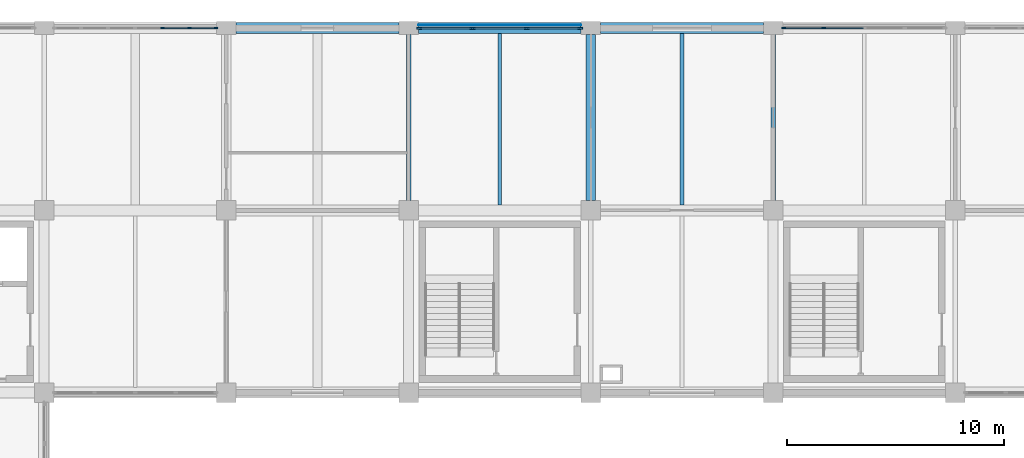
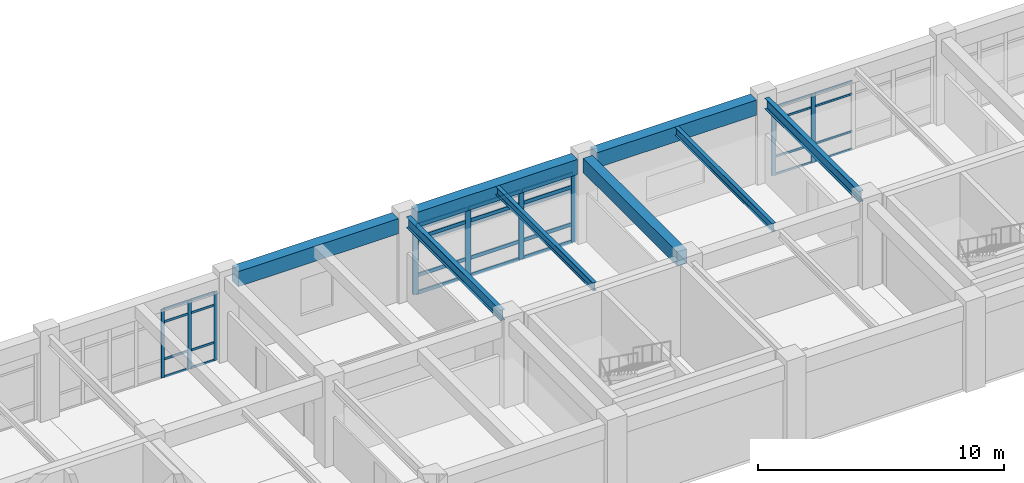
# One storey, part 39 of 99: 39 members, 8 beams, 3 elements without a shape of their own.
"""IFC4 building model written with IfcOpenShell, lengths in metres."""

from ifc_helpers import new_model, si_unit, direction, frame, origin, origin_2d, place, context, subcontext, project, spatial, rectangle, i_section, extrude, material, layer, layer_set, material_profile, profile_set, type_object, element, aggregate, save


model = new_model("IFC4")

# Units and contexts
model_context = context("Model", 3, precision=1e-05, world=origin(), true_north=direction((0.0, 1.0)))
body_context = subcontext(model_context, "Body", "Model", "MODEL_VIEW")
ifc_project = project(units=[si_unit("LENGTHUNIT", "METRE"), si_unit("AREAUNIT", "SQUARE_METRE"), si_unit("VOLUMEUNIT", "CUBIC_METRE"), si_unit("PLANEANGLEUNIT", "RADIAN"), si_unit("MASSUNIT", "GRAM", prefix="KILO")], contexts=[model_context])

# Site, building, storey
site_placement = place(None, origin())
site = spatial("IfcSite", under=ifc_project, at=site_placement, CompositionType="ELEMENT")
building_placement = place(site_placement, origin())
building = spatial("IfcBuilding", under=site, at=building_placement, Name="Porcellanite Civic Hall", CompositionType="ELEMENT")
storey_placement = place(building_placement, frame((0.0, 0.0, 5.760009765625)))
storey = spatial("IfcBuildingStorey", under=building, at=storey_placement, Name="L01", CompositionType="ELEMENT", Elevation=5.760009765625)

# Beams
ifc_material_1 = material(Name="Concrete N50 (50 MPa)", Category="concrete")
ifc_material_profile_1 = material_profile(ifc_material_1, rectangle(XDim=0.449951171875, YDim=0.699951171875, at=origin_2d()), Name="RC-450x700")
ifc_profile_set_1 = profile_set([ifc_material_profile_1], Name="Concrete N50 (50 MPa)")
beam_type_1 = type_object("IfcBeamType", Name="BM-RC700", PredefinedType="BEAM", material=ifc_profile_set_1)
beam_1_placement = place(storey_placement, frame((84.0, 109.6494140625, 3.85009765625), z_axis=(0.0, 1.0, 0.0), x_axis=(-1.0, 0.0, 0.0)))
element("IfcBeam", 1, at=beam_1_placement, inside=storey, type_object=beam_type_1, Name="Beam Y L01 11-14", PredefinedType="BEAM", context=body_context, shape_type="SweptSolid", body=[
    extrude(rectangle(XDim=0.449951171875, YDim=0.699951171875, at=origin_2d()), origin(), (0.0, 0.0, 1.0), 7.651123046875),
])
ifc_material_2 = material(Name="Concrete N50 (50 MPa)", Category="concrete")
ifc_material_profile_2 = material_profile(ifc_material_2, rectangle(XDim=0.5, YDim=0.75, at=origin_2d()), Name="RC-500x750")
ifc_profile_set_2 = profile_set([ifc_material_profile_2], Name="Concrete N50 (50 MPa)")
beam_type_2 = type_object("IfcBeamType", Name="BM-RC750", PredefinedType="SPANDREL", material=ifc_profile_set_2)
for number, where, z_axis, x_axis, name in (
    (2, (67.6494140625, 117.60009765625, 3.824951171875), (1.0, 0.0, 0.0), (0.0, 1.0, 0.0), "Beam X L01 9-15"),
    (3, (76.049560546875, 117.60009765625, 3.824951171875), (1.0, 0.0, 0.0), (0.0, 1.0, 0.0), "Beam X L01 10-15"),
    (4, (84.449462890625, 117.60009765625, 3.824951171875), (1.0, 0.0, 0.0), (0.0, 1.0, 0.0), "Beam X L01 11-15"),
):
    element("IfcBeam", number, at=place(storey_placement, frame(where, z_axis=z_axis, x_axis=x_axis)), inside=storey, type_object=beam_type_2, Name=name, PredefinedType="SPANDREL", context=body_context, shape_type="SweptSolid", body=[
        extrude(rectangle(XDim=0.5, YDim=0.75, at=origin_2d()), origin(), (0.0, 0.0, 1.0), 7.5009765625),
    ])

# Curtain wall, members
ifc_material_3 = material(Name="Anodised aluminium and solar laminated glass", Category="aluminium")
ifc_layer_1 = layer(ifc_material_3, 0.179931640625)
ifc_layer_set_1 = layer_set([ifc_layer_1], Name="Anodised aluminium and solar laminated glass")
curtain_wall_type_1 = type_object("IfcCurtainWallType", Name="CW-SYS08", PredefinedType="NOTDEFINED", material=ifc_layer_set_1)
curtain_wall_1_placement = place(storey_placement, origin())
curtain_wall_1 = element("IfcCurtainWall", 5, at=curtain_wall_1_placement, inside=storey, type_object=curtain_wall_type_1, Name="Curtain wall CW-094", PredefinedType="NOTDEFINED")
ifc_material_4 = material(Name="Anodised aluminium 6063-T6", Category="aluminium")
ifc_material_profile_3 = material_profile(ifc_material_4, rectangle(XDim=0.080078125, YDim=0.239990234375, at=origin_2d()), Name="AL-80x240")
ifc_profile_set_3 = profile_set([ifc_material_profile_3], Name="Anodised aluminium 6063-T6")
member_type_1 = type_object("IfcMemberType", Name="CWM-01", PredefinedType="MULLION", material=ifc_profile_set_3)
member_1_placement = place(storey_placement, frame((76.091064453125, 117.60009765625, 0.0), z_axis=(0.0, 0.0, 1.0), x_axis=(0.0, 1.0, 0.0)))
member_1 = element("IfcMember", 6, at=member_1_placement, type_object=member_type_1, Name="CW-094 mullion 1", PredefinedType="MULLION", context=body_context, shape_type="SweptSolid", body=[
    extrude(rectangle(XDim=0.080078125, YDim=0.239990234375, at=origin_2d()), origin(), (0.0, 0.0, 1.0), 3.39990234375),
])
member_2_placement = place(storey_placement, frame((78.55029296875, 117.60009765625, 0.0), z_axis=(0.0, 0.0, 1.0), x_axis=(0.0, 1.0, 0.0)))
member_2 = element("IfcMember", 7, at=member_2_placement, type_object=member_type_1, Name="CW-094 mullion 2", PredefinedType="MULLION", context=body_context, shape_type="SweptSolid", body=[
    extrude(rectangle(XDim=0.080078125, YDim=0.239990234375, at=origin_2d()), origin(), (0.0, 0.0, 1.0), 3.39990234375),
])
member_3_placement = place(storey_placement, frame((81.049560546875, 117.60009765625, 0.0), z_axis=(0.0, 0.0, 1.0), x_axis=(0.0, 1.0, 0.0)))
member_3 = element("IfcMember", 8, at=member_3_placement, type_object=member_type_1, Name="CW-094 mullion 3", PredefinedType="MULLION", context=body_context, shape_type="SweptSolid", body=[
    extrude(rectangle(XDim=0.080078125, YDim=0.239990234375, at=origin_2d()), origin(), (0.0, 0.0, 1.0), 3.39990234375),
])
member_4_placement = place(storey_placement, frame((83.509033203125, 117.60009765625, 0.0), z_axis=(0.0, 0.0, 1.0), x_axis=(0.0, 1.0, 0.0)))
member_4 = element("IfcMember", 9, at=member_4_placement, type_object=member_type_1, Name="CW-094 mullion 4", PredefinedType="MULLION", context=body_context, shape_type="SweptSolid", body=[
    extrude(rectangle(XDim=0.080078125, YDim=0.239990234375, at=origin_2d()), origin(), (0.0, 0.0, 1.0), 3.39990234375),
])

ifc_material_5 = material(Name="Anodised aluminium and solar laminated glass", Category="aluminium")
ifc_layer_2 = layer(ifc_material_5, 0.179931640625)
ifc_layer_set_2 = layer_set([ifc_layer_2], Name="Anodised aluminium and solar laminated glass")
curtain_wall_type_2 = type_object("IfcCurtainWallType", Name="CW-SYS04", PredefinedType="NOTDEFINED", material=ifc_layer_set_2)
curtain_wall_2_placement = place(storey_placement, origin())
curtain_wall_2 = element("IfcCurtainWall", 10, at=curtain_wall_2_placement, inside=storey, type_object=curtain_wall_type_2, Name="Curtain wall CW-097", PredefinedType="NOTDEFINED")
ifc_material_6 = material(Name="Anodised aluminium 6063-T6", Category="aluminium")
ifc_material_profile_4 = material_profile(ifc_material_6, rectangle(XDim=0.074951171875, YDim=0.18994140625, at=origin_2d()), Name="AL-75x190")
ifc_profile_set_4 = profile_set([ifc_material_profile_4], Name="Anodised aluminium 6063-T6")
member_type_2 = type_object("IfcMemberType", Name="CWM-04", PredefinedType="MULLION", material=ifc_profile_set_4)
member_5_placement = place(storey_placement, frame((92.888427734375, 117.60009765625, 0.0), z_axis=(0.0, 0.0, 1.0), x_axis=(0.0, 1.0, 0.0)))
member_5 = element("IfcMember", 11, at=member_5_placement, type_object=member_type_2, Name="CW-097 mullion 1", PredefinedType="MULLION", context=body_context, shape_type="SweptSolid", body=[
    extrude(rectangle(XDim=0.074951171875, YDim=0.18994140625, at=origin_2d()), origin(), (0.0, 0.0, 1.0), 3.39990234375),
])
member_6_placement = place(storey_placement, frame((94.7255859375, 117.60009765625, 0.0), z_axis=(0.0, 0.0, 1.0), x_axis=(0.0, 1.0, 0.0)))
member_6 = element("IfcMember", 12, at=member_6_placement, type_object=member_type_2, Name="CW-097 mullion 2", PredefinedType="MULLION", context=body_context, shape_type="SweptSolid", body=[
    extrude(rectangle(XDim=0.074951171875, YDim=0.18994140625, at=origin_2d()), origin(), (0.0, 0.0, 1.0), 3.39990234375),
])

ifc_material_7 = material(Name="Anodised aluminium and solar laminated glass", Category="aluminium")
ifc_layer_3 = layer(ifc_material_7, 0.179931640625)
ifc_layer_set_3 = layer_set([ifc_layer_3], Name="Anodised aluminium and solar laminated glass")
curtain_wall_type_3 = type_object("IfcCurtainWallType", Name="CW-SYS07", PredefinedType="NOTDEFINED", material=ifc_layer_set_3)
curtain_wall_3_placement = place(storey_placement, origin())
curtain_wall_3 = element("IfcCurtainWall", 13, at=curtain_wall_3_placement, inside=storey, type_object=curtain_wall_type_3, Name="Curtain wall CW-087", PredefinedType="NOTDEFINED")
ifc_material_8 = material(Name="Anodised aluminium 6063-T6", Category="aluminium")
ifc_material_profile_5 = material_profile(ifc_material_8, rectangle(XDim=0.06005859375, YDim=0.159912109375, at=origin_2d()), Name="AL-60x160")
ifc_profile_set_5 = profile_set([ifc_material_profile_5], Name="Anodised aluminium 6063-T6")
member_type_3 = type_object("IfcMemberType", Name="CWM-07", PredefinedType="MULLION", material=ifc_profile_set_5)
member_7_placement = place(storey_placement, frame((64.249755859375, 117.60009765625, 0.0), z_axis=(0.0, 0.0, 1.0), x_axis=(0.0, 1.0, 0.0)))
member_7 = element("IfcMember", 14, at=member_7_placement, type_object=member_type_3, Name="CW-087 mullion 5", PredefinedType="MULLION", context=body_context, shape_type="SweptSolid", body=[
    extrude(rectangle(XDim=0.06005859375, YDim=0.159912109375, at=origin_2d()), origin(), (0.0, 0.0, 1.0), 3.39990234375),
])
member_8_placement = place(storey_placement, frame((65.499267578125, 117.60009765625, 0.0), z_axis=(0.0, 0.0, 1.0), x_axis=(0.0, 1.0, 0.0)))
member_8 = element("IfcMember", 15, at=member_8_placement, type_object=member_type_3, Name="CW-087 mullion 6", PredefinedType="MULLION", context=body_context, shape_type="SweptSolid", body=[
    extrude(rectangle(XDim=0.06005859375, YDim=0.159912109375, at=origin_2d()), origin(), (0.0, 0.0, 1.0), 3.39990234375),
])
member_9_placement = place(storey_placement, frame((66.718994140625, 117.60009765625, 0.0), z_axis=(0.0, 0.0, 1.0), x_axis=(0.0, 1.0, 0.0)))
member_9 = element("IfcMember", 16, at=member_9_placement, type_object=member_type_3, Name="CW-087 mullion 7", PredefinedType="MULLION", context=body_context, shape_type="SweptSolid", body=[
    extrude(rectangle(XDim=0.06005859375, YDim=0.159912109375, at=origin_2d()), origin(), (0.0, 0.0, 1.0), 3.39990234375),
])

# Member
ifc_material_9 = material(Name="Anodised aluminium 6063-T6", Category="aluminium")
ifc_material_profile_6 = material_profile(ifc_material_9, rectangle(XDim=0.070068359375, YDim=0.175048828125, at=origin_2d()), Name="AL-70x175")
ifc_profile_set_6 = profile_set([ifc_material_profile_6], Name="Anodised aluminium 6063-T6")
member_type_4 = type_object("IfcMemberType", Name="CWT-01", PredefinedType="USERDEFINED", material=ifc_profile_set_6)
member_10_placement = place(storey_placement, frame((76.131103515625, 117.60009765625, 0.034912109375), z_axis=(1.0, 0.0, 0.0), x_axis=(0.0, 1.0, 0.0)))
member_10 = element("IfcMember", 17, at=member_10_placement, type_object=member_type_4, Name="CW-094 transom 1.1", ObjectType="TRANSOM", PredefinedType="USERDEFINED", context=body_context, shape_type="SweptSolid", body=[
    extrude(rectangle(XDim=0.070068359375, YDim=0.175048828125, at=origin_2d()), origin(), (0.0, 0.0, 1.0), 2.379150390625),
])

member_11_placement = place(storey_placement, frame((76.131103515625, 117.60009765625, 0.89990234375), z_axis=(1.0, 0.0, 0.0), x_axis=(0.0, 1.0, 0.0)))
member_11 = element("IfcMember", 18, at=member_11_placement, type_object=member_type_4, Name="CW-094 transom 1.2", ObjectType="TRANSOM", PredefinedType="USERDEFINED", context=body_context, shape_type="SweptSolid", body=[
    extrude(rectangle(XDim=0.070068359375, YDim=0.175048828125, at=origin_2d()), origin(), (0.0, 0.0, 1.0), 2.379150390625),
])

member_12_placement = place(storey_placement, frame((76.131103515625, 117.60009765625, 2.75), z_axis=(1.0, 0.0, 0.0), x_axis=(0.0, 1.0, 0.0)))
member_12 = element("IfcMember", 19, at=member_12_placement, type_object=member_type_4, Name="CW-094 transom 1.3", ObjectType="TRANSOM", PredefinedType="USERDEFINED", context=body_context, shape_type="SweptSolid", body=[
    extrude(rectangle(XDim=0.070068359375, YDim=0.175048828125, at=origin_2d()), origin(), (0.0, 0.0, 1.0), 2.379150390625),
])

member_13_placement = place(storey_placement, frame((76.131103515625, 117.60009765625, 3.364990234375), z_axis=(1.0, 0.0, 0.0), x_axis=(0.0, 1.0, 0.0)))
member_13 = element("IfcMember", 20, at=member_13_placement, type_object=member_type_4, Name="CW-094 transom 1.4", ObjectType="TRANSOM", PredefinedType="USERDEFINED", context=body_context, shape_type="SweptSolid", body=[
    extrude(rectangle(XDim=0.070068359375, YDim=0.175048828125, at=origin_2d()), origin(), (0.0, 0.0, 1.0), 2.379150390625),
])

member_14_placement = place(storey_placement, frame((78.59033203125, 117.60009765625, 0.034912109375), z_axis=(1.0, 0.0, 0.0), x_axis=(0.0, 1.0, 0.0)))
member_14 = element("IfcMember", 21, at=member_14_placement, type_object=member_type_4, Name="CW-094 transom 2.1", ObjectType="TRANSOM", PredefinedType="USERDEFINED", context=body_context, shape_type="SweptSolid", body=[
    extrude(rectangle(XDim=0.070068359375, YDim=0.175048828125, at=origin_2d()), origin(), (0.0, 0.0, 1.0), 2.41943359375),
])

member_15_placement = place(storey_placement, frame((78.59033203125, 117.60009765625, 0.89990234375), z_axis=(1.0, 0.0, 0.0), x_axis=(0.0, 1.0, 0.0)))
member_15 = element("IfcMember", 22, at=member_15_placement, type_object=member_type_4, Name="CW-094 transom 2.2", ObjectType="TRANSOM", PredefinedType="USERDEFINED", context=body_context, shape_type="SweptSolid", body=[
    extrude(rectangle(XDim=0.070068359375, YDim=0.175048828125, at=origin_2d()), origin(), (0.0, 0.0, 1.0), 2.41943359375),
])

member_16_placement = place(storey_placement, frame((78.59033203125, 117.60009765625, 2.75), z_axis=(1.0, 0.0, 0.0), x_axis=(0.0, 1.0, 0.0)))
member_16 = element("IfcMember", 23, at=member_16_placement, type_object=member_type_4, Name="CW-094 transom 2.3", ObjectType="TRANSOM", PredefinedType="USERDEFINED", context=body_context, shape_type="SweptSolid", body=[
    extrude(rectangle(XDim=0.070068359375, YDim=0.175048828125, at=origin_2d()), origin(), (0.0, 0.0, 1.0), 2.41943359375),
])

member_17_placement = place(storey_placement, frame((78.59033203125, 117.60009765625, 3.364990234375), z_axis=(1.0, 0.0, 0.0), x_axis=(0.0, 1.0, 0.0)))
member_17 = element("IfcMember", 24, at=member_17_placement, type_object=member_type_4, Name="CW-094 transom 2.4", ObjectType="TRANSOM", PredefinedType="USERDEFINED", context=body_context, shape_type="SweptSolid", body=[
    extrude(rectangle(XDim=0.070068359375, YDim=0.175048828125, at=origin_2d()), origin(), (0.0, 0.0, 1.0), 2.41943359375),
])

member_18_placement = place(storey_placement, frame((81.089599609375, 117.60009765625, 0.034912109375), z_axis=(1.0, 0.0, 0.0), x_axis=(0.0, 1.0, 0.0)))
member_18 = element("IfcMember", 25, at=member_18_placement, type_object=member_type_4, Name="CW-094 transom 3.1", ObjectType="TRANSOM", PredefinedType="USERDEFINED", context=body_context, shape_type="SweptSolid", body=[
    extrude(rectangle(XDim=0.070068359375, YDim=0.175048828125, at=origin_2d()), origin(), (0.0, 0.0, 1.0), 2.37939453125),
])

member_19_placement = place(storey_placement, frame((81.089599609375, 117.60009765625, 0.89990234375), z_axis=(1.0, 0.0, 0.0), x_axis=(0.0, 1.0, 0.0)))
member_19 = element("IfcMember", 26, at=member_19_placement, type_object=member_type_4, Name="CW-094 transom 3.2", ObjectType="TRANSOM", PredefinedType="USERDEFINED", context=body_context, shape_type="SweptSolid", body=[
    extrude(rectangle(XDim=0.070068359375, YDim=0.175048828125, at=origin_2d()), origin(), (0.0, 0.0, 1.0), 2.37939453125),
])

member_20_placement = place(storey_placement, frame((81.089599609375, 117.60009765625, 2.75), z_axis=(1.0, 0.0, 0.0), x_axis=(0.0, 1.0, 0.0)))
member_20 = element("IfcMember", 27, at=member_20_placement, type_object=member_type_4, Name="CW-094 transom 3.3", ObjectType="TRANSOM", PredefinedType="USERDEFINED", context=body_context, shape_type="SweptSolid", body=[
    extrude(rectangle(XDim=0.070068359375, YDim=0.175048828125, at=origin_2d()), origin(), (0.0, 0.0, 1.0), 2.37939453125),
])

member_21_placement = place(storey_placement, frame((81.089599609375, 117.60009765625, 3.364990234375), z_axis=(1.0, 0.0, 0.0), x_axis=(0.0, 1.0, 0.0)))
member_21 = element("IfcMember", 28, at=member_21_placement, type_object=member_type_4, Name="CW-094 transom 3.4", ObjectType="TRANSOM", PredefinedType="USERDEFINED", context=body_context, shape_type="SweptSolid", body=[
    extrude(rectangle(XDim=0.070068359375, YDim=0.175048828125, at=origin_2d()), origin(), (0.0, 0.0, 1.0), 2.37939453125),
])

aggregate(curtain_wall_1, [member_1, member_2, member_3, member_4, member_10, member_11, member_12, member_13, member_14, member_15, member_16, member_17, member_18, member_19, member_20, member_21])

ifc_material_10 = material(Name="Anodised aluminium 6063-T6", Category="aluminium")
ifc_material_profile_7 = material_profile(ifc_material_10, rectangle(XDim=0.054931640625, YDim=0.10009765625, at=origin_2d()), Name="AL-55x100")
ifc_profile_set_7 = profile_set([ifc_material_profile_7], Name="Anodised aluminium 6063-T6")
member_type_5 = type_object("IfcMemberType", Name="CWT-05", PredefinedType="USERDEFINED", material=ifc_profile_set_7)
member_22_placement = place(storey_placement, frame((92.926025390625, 117.60009765625, 0.027587890625), z_axis=(1.0, 0.0, 0.0), x_axis=(0.0, 1.0, 0.0)))
member_22 = element("IfcMember", 29, at=member_22_placement, type_object=member_type_5, Name="CW-097 transom 1.1", ObjectType="TRANSOM", PredefinedType="USERDEFINED", context=body_context, shape_type="SweptSolid", body=[
    extrude(rectangle(XDim=0.054931640625, YDim=0.10009765625, at=origin_2d()), origin(), (0.0, 0.0, 1.0), 1.761962890625),
])

member_23_placement = place(storey_placement, frame((92.926025390625, 117.60009765625, 0.89990234375), z_axis=(1.0, 0.0, 0.0), x_axis=(0.0, 1.0, 0.0)))
member_23 = element("IfcMember", 30, at=member_23_placement, type_object=member_type_5, Name="CW-097 transom 1.2", ObjectType="TRANSOM", PredefinedType="USERDEFINED", context=body_context, shape_type="SweptSolid", body=[
    extrude(rectangle(XDim=0.054931640625, YDim=0.10009765625, at=origin_2d()), origin(), (0.0, 0.0, 1.0), 1.761962890625),
])

member_24_placement = place(storey_placement, frame((92.926025390625, 117.60009765625, 2.75), z_axis=(1.0, 0.0, 0.0), x_axis=(0.0, 1.0, 0.0)))
member_24 = element("IfcMember", 31, at=member_24_placement, type_object=member_type_5, Name="CW-097 transom 1.3", ObjectType="TRANSOM", PredefinedType="USERDEFINED", context=body_context, shape_type="SweptSolid", body=[
    extrude(rectangle(XDim=0.054931640625, YDim=0.10009765625, at=origin_2d()), origin(), (0.0, 0.0, 1.0), 1.761962890625),
])

member_25_placement = place(storey_placement, frame((92.926025390625, 117.60009765625, 3.37255859375), z_axis=(1.0, 0.0, 0.0), x_axis=(0.0, 1.0, 0.0)))
member_25 = element("IfcMember", 32, at=member_25_placement, type_object=member_type_5, Name="CW-097 transom 1.4", ObjectType="TRANSOM", PredefinedType="USERDEFINED", context=body_context, shape_type="SweptSolid", body=[
    extrude(rectangle(XDim=0.054931640625, YDim=0.10009765625, at=origin_2d()), origin(), (0.0, 0.0, 1.0), 1.761962890625),
])

member_26_placement = place(storey_placement, frame((94.762939453125, 117.60009765625, 0.027587890625), z_axis=(1.0, 0.0, 0.0), x_axis=(0.0, 1.0, 0.0)))
member_26 = element("IfcMember", 33, at=member_26_placement, type_object=member_type_5, Name="CW-097 transom 2.1", ObjectType="TRANSOM", PredefinedType="USERDEFINED", context=body_context, shape_type="SweptSolid", body=[
    extrude(rectangle(XDim=0.054931640625, YDim=0.10009765625, at=origin_2d()), origin(), (0.0, 0.0, 1.0), 1.799560546875),
])

member_27_placement = place(storey_placement, frame((94.762939453125, 117.60009765625, 0.89990234375), z_axis=(1.0, 0.0, 0.0), x_axis=(0.0, 1.0, 0.0)))
member_27 = element("IfcMember", 34, at=member_27_placement, type_object=member_type_5, Name="CW-097 transom 2.2", ObjectType="TRANSOM", PredefinedType="USERDEFINED", context=body_context, shape_type="SweptSolid", body=[
    extrude(rectangle(XDim=0.054931640625, YDim=0.10009765625, at=origin_2d()), origin(), (0.0, 0.0, 1.0), 1.799560546875),
])

member_28_placement = place(storey_placement, frame((94.762939453125, 117.60009765625, 2.75), z_axis=(1.0, 0.0, 0.0), x_axis=(0.0, 1.0, 0.0)))
member_28 = element("IfcMember", 35, at=member_28_placement, type_object=member_type_5, Name="CW-097 transom 2.3", ObjectType="TRANSOM", PredefinedType="USERDEFINED", context=body_context, shape_type="SweptSolid", body=[
    extrude(rectangle(XDim=0.054931640625, YDim=0.10009765625, at=origin_2d()), origin(), (0.0, 0.0, 1.0), 1.799560546875),
])

member_29_placement = place(storey_placement, frame((94.762939453125, 117.60009765625, 3.37255859375), z_axis=(1.0, 0.0, 0.0), x_axis=(0.0, 1.0, 0.0)))
member_29 = element("IfcMember", 36, at=member_29_placement, type_object=member_type_5, Name="CW-097 transom 2.4", ObjectType="TRANSOM", PredefinedType="USERDEFINED", context=body_context, shape_type="SweptSolid", body=[
    extrude(rectangle(XDim=0.054931640625, YDim=0.10009765625, at=origin_2d()), origin(), (0.0, 0.0, 1.0), 1.799560546875),
])

aggregate(curtain_wall_2, [member_5, member_6, member_22, member_23, member_24, member_25, member_26, member_27, member_28, member_29])

ifc_material_11 = material(Name="Anodised aluminium 6063-T6", Category="aluminium")
ifc_material_profile_8 = material_profile(ifc_material_11, rectangle(XDim=0.050048828125, YDim=0.110107421875, at=origin_2d()), Name="AL-50x110")
ifc_profile_set_8 = profile_set([ifc_material_profile_8], Name="Anodised aluminium 6063-T6")
member_type_6 = type_object("IfcMemberType", Name="CWT-07", PredefinedType="USERDEFINED", material=ifc_profile_set_8)
member_30_placement = place(storey_placement, frame((64.27978515625, 117.60009765625, 0.02490234375), z_axis=(1.0, 0.0, 0.0), x_axis=(0.0, 1.0, 0.0)))
member_30 = element("IfcMember", 37, at=member_30_placement, type_object=member_type_6, Name="CW-087 transom 5.1", ObjectType="TRANSOM", PredefinedType="USERDEFINED", context=body_context, shape_type="SweptSolid", body=[
    extrude(rectangle(XDim=0.050048828125, YDim=0.110107421875, at=origin_2d()), origin(), (0.0, 0.0, 1.0), 1.189453125),
])

member_31_placement = place(storey_placement, frame((64.27978515625, 117.60009765625, 0.89990234375), z_axis=(1.0, 0.0, 0.0), x_axis=(0.0, 1.0, 0.0)))
member_31 = element("IfcMember", 38, at=member_31_placement, type_object=member_type_6, Name="CW-087 transom 5.2", ObjectType="TRANSOM", PredefinedType="USERDEFINED", context=body_context, shape_type="SweptSolid", body=[
    extrude(rectangle(XDim=0.050048828125, YDim=0.110107421875, at=origin_2d()), origin(), (0.0, 0.0, 1.0), 1.189453125),
])

member_32_placement = place(storey_placement, frame((64.27978515625, 117.60009765625, 2.75), z_axis=(1.0, 0.0, 0.0), x_axis=(0.0, 1.0, 0.0)))
member_32 = element("IfcMember", 39, at=member_32_placement, type_object=member_type_6, Name="CW-087 transom 5.3", ObjectType="TRANSOM", PredefinedType="USERDEFINED", context=body_context, shape_type="SweptSolid", body=[
    extrude(rectangle(XDim=0.050048828125, YDim=0.110107421875, at=origin_2d()), origin(), (0.0, 0.0, 1.0), 1.189453125),
])

member_33_placement = place(storey_placement, frame((64.27978515625, 117.60009765625, 3.375), z_axis=(1.0, 0.0, 0.0), x_axis=(0.0, 1.0, 0.0)))
member_33 = element("IfcMember", 40, at=member_33_placement, type_object=member_type_6, Name="CW-087 transom 5.4", ObjectType="TRANSOM", PredefinedType="USERDEFINED", context=body_context, shape_type="SweptSolid", body=[
    extrude(rectangle(XDim=0.050048828125, YDim=0.110107421875, at=origin_2d()), origin(), (0.0, 0.0, 1.0), 1.189453125),
])

member_34_placement = place(storey_placement, frame((65.529296875, 117.60009765625, 0.02490234375), z_axis=(1.0, 0.0, 0.0), x_axis=(0.0, 1.0, 0.0)))
member_34 = element("IfcMember", 41, at=member_34_placement, type_object=member_type_6, Name="CW-087 transom 6.1", ObjectType="TRANSOM", PredefinedType="USERDEFINED", context=body_context, shape_type="SweptSolid", body=[
    extrude(rectangle(XDim=0.050048828125, YDim=0.110107421875, at=origin_2d()), origin(), (0.0, 0.0, 1.0), 1.15966796875),
])

member_35_placement = place(storey_placement, frame((65.529296875, 117.60009765625, 0.89990234375), z_axis=(1.0, 0.0, 0.0), x_axis=(0.0, 1.0, 0.0)))
member_35 = element("IfcMember", 42, at=member_35_placement, type_object=member_type_6, Name="CW-087 transom 6.2", ObjectType="TRANSOM", PredefinedType="USERDEFINED", context=body_context, shape_type="SweptSolid", body=[
    extrude(rectangle(XDim=0.050048828125, YDim=0.110107421875, at=origin_2d()), origin(), (0.0, 0.0, 1.0), 1.15966796875),
])

member_36_placement = place(storey_placement, frame((65.529296875, 117.60009765625, 2.75), z_axis=(1.0, 0.0, 0.0), x_axis=(0.0, 1.0, 0.0)))
member_36 = element("IfcMember", 43, at=member_36_placement, type_object=member_type_6, Name="CW-087 transom 6.3", ObjectType="TRANSOM", PredefinedType="USERDEFINED", context=body_context, shape_type="SweptSolid", body=[
    extrude(rectangle(XDim=0.050048828125, YDim=0.110107421875, at=origin_2d()), origin(), (0.0, 0.0, 1.0), 1.15966796875),
])

member_37_placement = place(storey_placement, frame((65.529296875, 117.60009765625, 3.375), z_axis=(1.0, 0.0, 0.0), x_axis=(0.0, 1.0, 0.0)))
member_37 = element("IfcMember", 44, at=member_37_placement, type_object=member_type_6, Name="CW-087 transom 6.4", ObjectType="TRANSOM", PredefinedType="USERDEFINED", context=body_context, shape_type="SweptSolid", body=[
    extrude(rectangle(XDim=0.050048828125, YDim=0.110107421875, at=origin_2d()), origin(), (0.0, 0.0, 1.0), 1.15966796875),
])

aggregate(curtain_wall_3, [member_7, member_8, member_9, member_30, member_31, member_32, member_33, member_34, member_35, member_36, member_37])

# Beams
ifc_material_12 = material(Name="Steel Grade 350", Category="steel")
ifc_material_profile_9 = material_profile(ifc_material_12, i_section(OverallWidth=0.177978515625, OverallDepth=0.403076171875, WebThickness=0.007568359375, FlangeThickness=0.010986328125, FilletRadius=0.011474609375, at=origin_2d()), Name="410UB53.7")
ifc_profile_set_9 = profile_set([ifc_material_profile_9], Name="Steel Grade 350")
beam_type_3 = type_object("IfcBeamType", Name="JST-410UB54", PredefinedType="JOIST", material=ifc_profile_set_9)
beam_2_placement = place(storey_placement, frame((88.199951171875, 109.449462890625, 3.99853515625), z_axis=(0.0, 1.0, 0.0), x_axis=(-1.0, 0.0, 0.0)))
element("IfcBeam", 45, at=beam_2_placement, inside=storey, type_object=beam_type_3, Name="Secondary joist L01 11-14", PredefinedType="JOIST", context=body_context, shape_type="SweptSolid", body=[
    extrude(i_section(OverallWidth=0.177978515625, OverallDepth=0.403076171875, WebThickness=0.007568359375, FlangeThickness=0.010986328125, FilletRadius=0.011474609375, at=origin_2d()), origin(), (0.0, 0.0, 1.0), 7.901123046875),
])
ifc_material_13 = material(Name="Steel Grade 350", Category="steel")
ifc_material_profile_10 = material_profile(ifc_material_13, i_section(OverallWidth=0.177978515625, OverallDepth=0.406005859375, WebThickness=0.0078125, FlangeThickness=0.0126953125, FilletRadius=0.011474609375, at=origin_2d()), Name="410UB59.7")
ifc_profile_set_10 = profile_set([ifc_material_profile_10], Name="Steel Grade 350")
beam_type_4 = type_object("IfcBeamType", Name="JST-410UB60", PredefinedType="JOIST", material=ifc_profile_set_10)
beam_3_placement = place(storey_placement, frame((79.800048828125, 109.449462890625, 3.9970703125), z_axis=(0.0, 1.0, 0.0), x_axis=(-1.0, 0.0, 0.0)))
element("IfcBeam", 46, at=beam_3_placement, inside=storey, type_object=beam_type_4, Name="Secondary joist L01 10-14", PredefinedType="JOIST", context=body_context, shape_type="SweptSolid", body=[
    extrude(i_section(OverallWidth=0.177978515625, OverallDepth=0.406005859375, WebThickness=0.0078125, FlangeThickness=0.0126953125, FilletRadius=0.011474609375, at=origin_2d()), origin(), (0.0, 0.0, 1.0), 7.901123046875),
])

# Members
ifc_material_14 = material(Name="Fluoropolymer bauxite-red aluminium 6063-T6", Category="aluminium")
ifc_material_profile_11 = material_profile(ifc_material_14, rectangle(XDim=0.044921875, YDim=0.159912109375, at=origin_2d()), Name="AL-45x160")
ifc_profile_set_11 = profile_set([ifc_material_profile_11], Name="Fluoropolymer bauxite-red aluminium 6063-T6")
member_type_7 = type_object("IfcMemberType", Name="LV-BLD11", PredefinedType="USERDEFINED", material=ifc_profile_set_11)
for number, where, z_axis, x_axis, name in (
    (47, (76.049560546875, 117.744384765625, 3.10009765625), (1.0, 0.0, 0.0), (0.0, 1.0, 0.0), "Cyclone sunshade louvre L01 N 9-13 1"),
    (48, (76.049560546875, 117.744384765625, 2.449951171875), (1.0, 0.0, 0.0), (0.0, 1.0, 0.0), "Cyclone sunshade louvre L01 N 9-13 2"),
):
    element("IfcMember", number, at=place(storey_placement, frame(where, z_axis=z_axis, x_axis=x_axis)), inside=storey, type_object=member_type_7, Name=name, ObjectType="LOUVRE BLADE", PredefinedType="USERDEFINED", context=body_context, shape_type="SweptSolid", body=[
        extrude(rectangle(XDim=0.044921875, YDim=0.159912109375, at=origin_2d()), origin(), (0.0, 0.0, 1.0), 7.5009765625),
    ])

# Beams
ifc_material_15 = material(Name="Steel Grade 350", Category="steel")
ifc_material_profile_12 = material_profile(ifc_material_15, i_section(OverallWidth=0.208984375, OverallDepth=0.528076171875, WebThickness=0.009521484375, FlangeThickness=0.01318359375, FilletRadius=0.013916015625, at=origin_2d()), Name="530UB82.0")
ifc_profile_set_12 = profile_set([ifc_material_profile_12], Name="Steel Grade 350")
beam_type_5 = type_object("IfcBeamType", Name="RAF-530UB82", PredefinedType="BEAM", material=ifc_profile_set_12)
for number, where, z_axis, x_axis, name in (
    (49, (75.60009765625, 109.6494140625, 3.93603515625), (0.0, 1.0, 0.0), (-1.0, 0.0, 0.0), "Beam Y L01 10-14"),
    (50, (92.39990234375, 109.6494140625, 3.93603515625), (0.0, 1.0, 0.0), (-1.0, 0.0, 0.0), "Beam Y L01 12-14"),
):
    element("IfcBeam", number, at=place(storey_placement, frame(where, z_axis=z_axis, x_axis=x_axis)), inside=storey, type_object=beam_type_5, Name=name, PredefinedType="BEAM", context=body_context, shape_type="SweptSolid", body=[
        extrude(i_section(OverallWidth=0.208984375, OverallDepth=0.528076171875, WebThickness=0.009521484375, FlangeThickness=0.01318359375, FilletRadius=0.013916015625, at=origin_2d()), origin(), (0.0, 0.0, 1.0), 7.651123046875),
    ])

save(model, "model.ifc")
